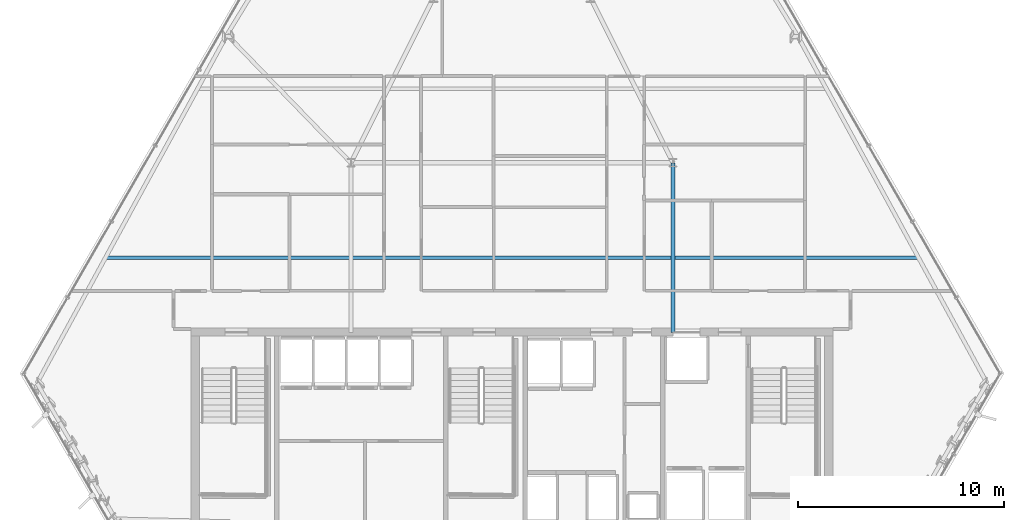
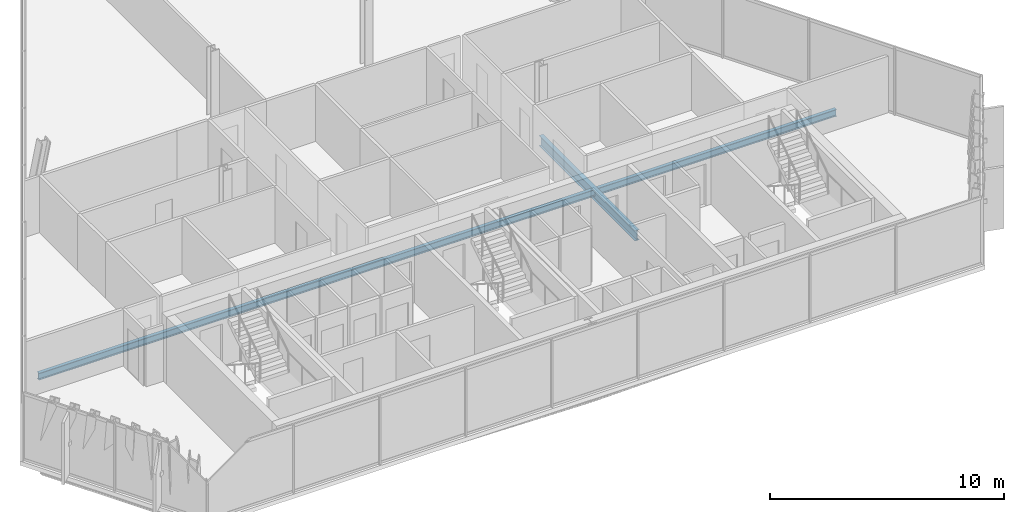
# One storey, part 9 of 34: 2 beams.
"""IFC4 building model written with IfcOpenShell, lengths in metres."""

from ifc_helpers import new_model, si_unit, direction, frame, origin, origin_2d, place, context, subcontext, project, spatial, i_section, extrude, material, material_profile, profile_set, type_object, element, save


model = new_model("IFC4")

# Units and contexts
model_context = context("Model", 3, precision=1e-05, world=origin(), true_north=direction((0.0, 1.0)))
body_context = subcontext(model_context, "Body", "Model", "MODEL_VIEW")
ifc_project = project(units=[si_unit("LENGTHUNIT", "METRE"), si_unit("AREAUNIT", "SQUARE_METRE"), si_unit("VOLUMEUNIT", "CUBIC_METRE"), si_unit("PLANEANGLEUNIT", "RADIAN"), si_unit("MASSUNIT", "GRAM", prefix="KILO")], contexts=[model_context])

# Site, building, storey
site_placement = place(None, origin())
site = spatial("IfcSite", under=ifc_project, at=site_placement, CompositionType="ELEMENT")
building_placement = place(site_placement, origin())
building = spatial("IfcBuilding", under=site, at=building_placement, Name="Ndaravel Arena Tower", CompositionType="ELEMENT")
storey_placement = place(building_placement, frame((0.0, 0.0, 199.199951171875)))
storey = spatial("IfcBuildingStorey", under=building, at=storey_placement, Name="L48", CompositionType="ELEMENT", Elevation=199.199951171875)

# Beams
ifc_material_1 = material(Name="Steel S355", Category="steel")
ifc_material_profile_1 = material_profile(ifc_material_1, i_section(OverallWidth=0.210693359375, OverallDepth=0.53955078125, WebThickness=0.01171875, FlangeThickness=0.018798828125, FilletRadius=0.0126953125, at=origin_2d()), Name="UB 533x210x109")
ifc_profile_set_1 = profile_set([ifc_material_profile_1], Name="Steel S355")
beam_type_1 = type_object("IfcBeamType", Name="BM-GIRD-UB533", PredefinedType="BEAM", material=ifc_profile_set_1)
beam_1_placement = place(storey_placement, frame((49.800048828125, 14.97998046875, -0.48974609375), z_axis=(0.0, 1.0, 0.0), x_axis=(-1.0, 0.0, 0.0)))
element("IfcBeam", 1, at=beam_1_placement, inside=storey, type_object=beam_type_1, Name="L48 Spine Link Girder SLG-02", PredefinedType="BEAM", context=body_context, shape_type="SweptSolid", body=[
    extrude(i_section(OverallWidth=0.210693359375, OverallDepth=0.53955078125, WebThickness=0.01171875, FlangeThickness=0.018798828125, FilletRadius=0.0126953125, at=origin_2d()), origin(), (0.0, 0.0, 1.0), 8.219970703125),
])
ifc_material_2 = material(Name="Steel S355", Category="steel")
ifc_material_profile_2 = material_profile(ifc_material_2, i_section(OverallWidth=0.172119140625, OverallDepth=0.35791015625, WebThickness=0.008056640625, FlangeThickness=0.012939453125, FilletRadius=0.01025390625, at=origin_2d()), Name="UB 356x171x57")
ifc_profile_set_2 = profile_set([ifc_material_profile_2], Name="Steel S355")
beam_type_2 = type_object("IfcBeamType", Name="BM-JOIST-UB356", PredefinedType="JOIST", material=ifc_profile_set_2)
beam_2_placement = place(storey_placement, frame((22.301513671875, 18.60009765625, -0.39892578125), z_axis=(1.0, 0.0, 0.0), x_axis=(0.0, 1.0, 0.0)))
element("IfcBeam", 2, at=beam_2_placement, inside=storey, type_object=beam_type_2, Name="L48 Composite Floor Joist FJ-01", PredefinedType="JOIST", context=body_context, shape_type="SweptSolid", body=[
    extrude(i_section(OverallWidth=0.172119140625, OverallDepth=0.35791015625, WebThickness=0.008056640625, FlangeThickness=0.012939453125, FilletRadius=0.01025390625, at=origin_2d()), origin(), (0.0, 0.0, 1.0), 39.39697265625),
])

save(model, "model.ifc")
